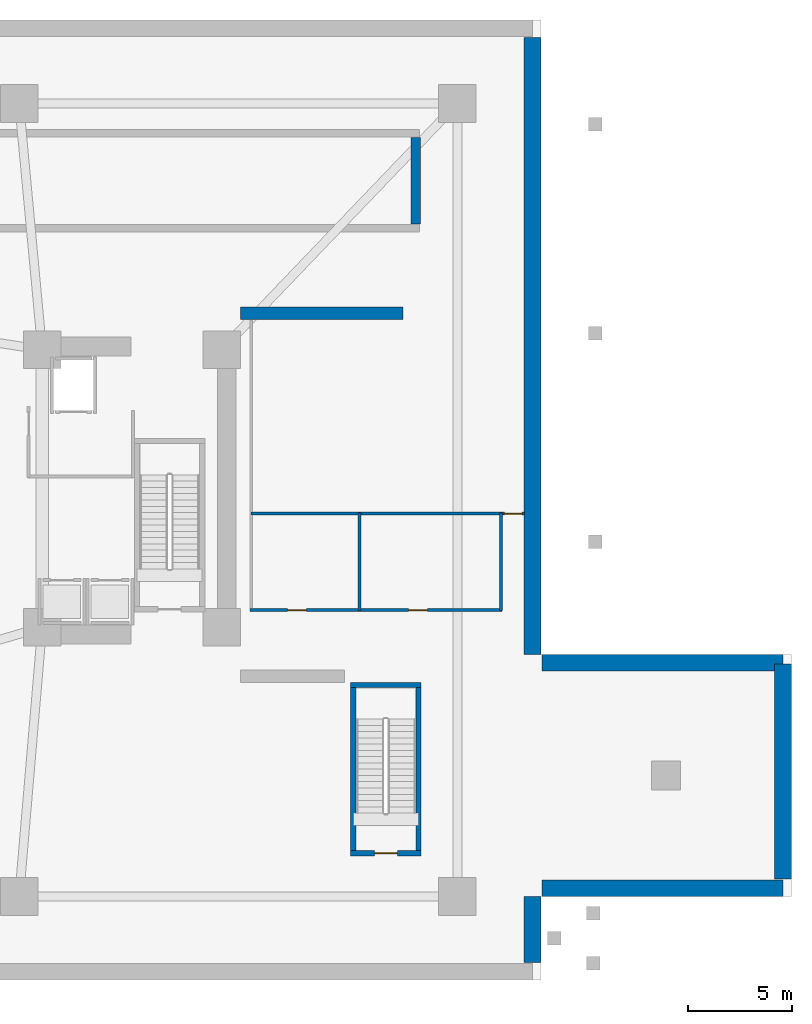
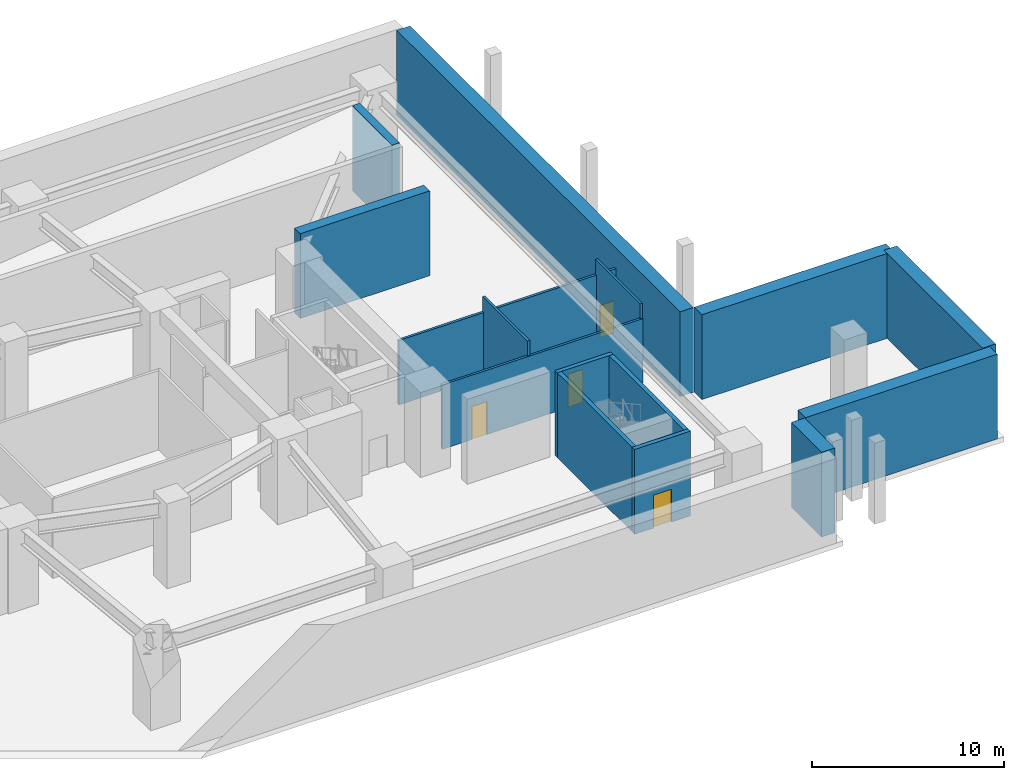
# One storey, part 5 of 9: 15 walls, 4 doors, 4 openings.
"""IFC4 building model written with IfcOpenShell, lengths in metres."""

from ifc_helpers import new_model, si_unit, direction, frame, frame_2d, origin, place, context, subcontext, project, spatial, rectangle, extrude, material, layer, layer_set, type_object, element, fill, save


model = new_model("IFC4")

# Units and contexts
model_context = context("Model", 3, precision=1e-05, world=origin(), true_north=direction((0.0, 1.0)))
body_context = subcontext(model_context, "Body", "Model", "MODEL_VIEW")
ifc_project = project(units=[si_unit("LENGTHUNIT", "METRE"), si_unit("AREAUNIT", "SQUARE_METRE"), si_unit("VOLUMEUNIT", "CUBIC_METRE"), si_unit("PLANEANGLEUNIT", "RADIAN"), si_unit("MASSUNIT", "GRAM", prefix="KILO")], contexts=[model_context])

# Site, building, storey
site_placement = place(None, origin())
site = spatial("IfcSite", under=ifc_project, at=site_placement, CompositionType="ELEMENT")
building_placement = place(site_placement, origin())
building = spatial("IfcBuilding", under=site, at=building_placement, Name="Solvane Sanctuary Tower", CompositionType="ELEMENT")
storey_placement = place(building_placement, frame((0.0, 0.0, -5.39990234375)))
storey = spatial("IfcBuildingStorey", under=building, at=storey_placement, Name="B01", CompositionType="ELEMENT", Elevation=-5.39990234375)

# Wall, opening, door
ifc_material_1 = material(Name="Acoustic Gypsum Partition Board")
ifc_layer_1 = layer(ifc_material_1, 0.14990234375, Name="Acoustic Gypsum Partition Board")
ifc_layer_set_1 = layer_set([ifc_layer_1], Name="Acoustic Gypsum Partition Board")
wall_type_1 = type_object("IfcWallType", Name="Wall W-CORR-150", PredefinedType="PARTITIONING", material=ifc_layer_set_1)
wall_1_placement = place(storey_placement, frame((50.1201171875, 22.35009765625, 0.0), z_axis=(0.0, 0.0, 1.0), x_axis=(1.0, 0.0, 0.0)))
wall_1 = element("IfcWall", 1, at=wall_1_placement, inside=storey, type_object=wall_type_1, Name="B01 Generator South Fire Wall", PredefinedType="PARTITIONING", context=body_context, shape_type="SweptSolid", body=[
    extrude(rectangle(XDim=13.099853515625, YDim=0.14990234375, at=frame_2d((6.5498046875, 0.0))), origin(), (0.0, 0.0, 1.0), 4.099853515625),
])
opening_1_placement = place(wall_1_placement, frame((12.1298828125, 0.0, 0.0)))
opening_1 = element("IfcOpeningElement", 2, at=opening_1_placement, cuts=wall_1, Name="Opening D-B01-12", PredefinedType="OPENING", context=body_context, shape_type="SweptSolid", body=[
    extrude(rectangle(XDim=0.85009765625, YDim=2.050048828125, at=frame_2d((0.425048828125, 1.02490234375))), frame((0.0, 0.0849609375, 0.0), z_axis=(0.0, -1.0, 0.0), x_axis=(1.0, 0.0, 0.0)), (0.0, 0.0, 1.0), 0.169921875),
])
ifc_material_2 = material(Name="Architectural Stainless Steel 316", Category="steel")
door_type_1 = type_object("IfcDoorType", Name="Door D-RISER", OperationType="NOTDEFINED", PredefinedType="DOOR", material=ifc_material_2)
door_1_placement = place(opening_1_placement, origin())
door_1 = element("IfcDoor", 3, at=door_1_placement, inside=storey, type_object=door_type_1, Name="B01 Standby Generator Plant Door", OperationType="SINGLE_SWING_RIGHT", OverallHeight=2.050048828125, OverallWidth=0.85009765625, PredefinedType="DOOR", context=body_context, shape_type="SweptSolid", body=[
    extrude(rectangle(XDim=0.85009765625, YDim=2.050048828125, at=frame_2d((0.425048828125, 1.02490234375))), frame((0.0, 0.02490234375, 0.0), z_axis=(0.0, -1.0, 0.0), x_axis=(1.0, 0.0, 0.0)), (0.0, 0.0, 1.0), 0.050048828125),
])
fill(opening_1, door_1)

# Walls
ifc_material_3 = material(Name="Concrete C60/75", Category="concrete")
ifc_layer_2 = layer(ifc_material_3, 0.60009765625, Name="Concrete C60/75")
ifc_layer_set_2 = layer_set([ifc_layer_2], Name="Concrete C60/75")
wall_type_2 = type_object("IfcWallType", Name="Wall W-METRO-600", PredefinedType="SOLIDWALL", material=ifc_layer_set_2)
wall_2_placement = place(storey_placement, frame((49.60009765625, 31.949951171875, 0.0), z_axis=(0.0, 0.0, 1.0), x_axis=(1.0, 0.0, 0.0)))
element("IfcWall", 4, at=wall_2_placement, inside=storey, type_object=wall_type_2, Name="B01 Metro Station Box Wall MN2", PredefinedType="SOLIDWALL", context=body_context, shape_type="SweptSolid", body=[
    extrude(rectangle(XDim=7.7998046875, YDim=0.60009765625, at=frame_2d((3.89990234375, 0.0))), origin(), (0.0, 0.0, 1.0), 5.39990234375),
])
ifc_material_4 = material(Name="Concrete C50/60", Category="concrete")
ifc_layer_3 = layer(ifc_material_4, 0.35009765625, Name="Concrete C50/60")
ifc_layer_set_3 = layer_set([ifc_layer_3], Name="Concrete C50/60")
wall_type_3 = type_object("IfcWallType", Name="Wall W-RAMP-350", PredefinedType="SOLIDWALL", material=ifc_layer_set_3)
wall_3_placement = place(storey_placement, frame((58.0, 36.219970703125, 0.0), z_axis=(0.0, 0.0, 1.0), x_axis=(0.0, 1.0, 0.0)))
element("IfcWall", 5, at=wall_3_placement, inside=storey, type_object=wall_type_3, Name="B01 Service Ramp Head Bearing Wall", PredefinedType="SOLIDWALL", context=body_context, shape_type="SweptSolid", body=[
    extrude(rectangle(XDim=4.159912109375, YDim=0.449951171875, at=frame_2d((2.080078125, 0.0))), origin(), (0.0, 0.0, 1.0), 5.39990234375),
])
ifc_layer_4 = layer(ifc_material_3, 0.800048828125, Name="Concrete C60/75")
ifc_layer_set_4 = layer_set([ifc_layer_4], Name="Concrete C60/75")
wall_type_4 = type_object("IfcWallType", Name="Wall W-RET-800", PredefinedType="USERDEFINED", material=ifc_layer_set_4)
wall_4_placement = place(storey_placement, frame((63.60009765625, 0.85009765625, 0.0), z_axis=(0.0, 0.0, 1.0), x_axis=(0.0, 1.0, 0.0)))
element("IfcWall", 6, at=wall_4_placement, inside=storey, type_object=wall_type_4, Name="B01 Perimeter Retaining Wall ES1", ObjectType="RETAININGWALL", PredefinedType="USERDEFINED", context=body_context, shape_type="SweptSolid", body=[
    extrude(rectangle(XDim=3.14990234375, YDim=0.800048828125, at=frame_2d((1.574951171875, 0.0))), origin(), (0.0, 0.0, 1.0), 5.39990234375),
])
wall_5_placement = place(storey_placement, frame((64.050048828125, 4.39990234375, 0.0), z_axis=(0.0, 0.0, 1.0), x_axis=(1.0, 0.0, 0.0)))
element("IfcWall", 7, at=wall_5_placement, inside=storey, type_object=wall_type_4, Name="B01 Perimeter Retaining Wall MES", ObjectType="RETAININGWALL", PredefinedType="USERDEFINED", context=body_context, shape_type="SweptSolid", body=[
    extrude(rectangle(XDim=11.550048828125, YDim=0.800048828125, at=frame_2d((5.77490234375, 0.0))), origin(), (0.0, 0.0, 1.0), 5.39990234375),
])
wall_6_placement = place(storey_placement, frame((75.60009765625, 4.85009765625, 0.0), z_axis=(0.0, 0.0, 1.0), x_axis=(0.0, 1.0, 0.0)))
element("IfcWall", 8, at=wall_6_placement, inside=storey, type_object=wall_type_4, Name="B01 Perimeter Retaining Wall MEE", ObjectType="RETAININGWALL", PredefinedType="USERDEFINED", context=body_context, shape_type="SweptSolid", body=[
    extrude(rectangle(XDim=10.2998046875, YDim=0.800048828125, at=frame_2d((5.14990234375, 0.0))), origin(), (0.0, 0.0, 1.0), 5.39990234375),
])
wall_7_placement = place(storey_placement, frame((75.60009765625, 15.199951171875, 0.0), z_axis=(0.0, 0.0, 1.0), x_axis=(-1.0, 0.0, 0.0)))
element("IfcWall", 9, at=wall_7_placement, inside=storey, type_object=wall_type_4, Name="B01 Perimeter Retaining Wall MEN", ObjectType="RETAININGWALL", PredefinedType="USERDEFINED", context=body_context, shape_type="SweptSolid", body=[
    extrude(rectangle(XDim=11.550048828125, YDim=0.800048828125, at=frame_2d((5.77490234375, 0.0))), origin(), (0.0, 0.0, 1.0), 5.39990234375),
])
wall_8_placement = place(storey_placement, frame((63.60009765625, 15.60009765625, 0.0), z_axis=(0.0, 0.0, 1.0), x_axis=(0.0, 1.0, 0.0)))
element("IfcWall", 10, at=wall_8_placement, inside=storey, type_object=wall_type_4, Name="B01 Perimeter Retaining Wall EN2", ObjectType="RETAININGWALL", PredefinedType="USERDEFINED", context=body_context, shape_type="SweptSolid", body=[
    extrude(rectangle(XDim=29.5498046875, YDim=0.800048828125, at=frame_2d((14.77490234375, 0.0))), origin(), (0.0, 0.0, 1.0), 5.39990234375),
])

# Wall, opening, door
ifc_layer_5 = layer(ifc_material_4, 0.25, Name="Concrete C50/60")
ifc_layer_set_5 = layer_set([ifc_layer_5], Name="Concrete C50/60")
wall_type_5 = type_object("IfcWallType", Name="Wall W-SHAFT-250", PredefinedType="SOLIDWALL", material=ifc_layer_set_5)
wall_9_placement = place(storey_placement, frame((54.885009765625, 6.070068359375, 0.0), z_axis=(0.0, 0.0, 1.0), x_axis=(1.0, 0.0, 0.0)))
wall_9 = element("IfcWall", 11, at=wall_9_placement, inside=storey, type_object=wall_type_5, Name="B01 ST-5 Load-Bearing Shaft Wall S", PredefinedType="SOLIDWALL", context=body_context, shape_type="SweptSolid", body=[
    extrude(rectangle(XDim=3.369873046875, YDim=0.25, at=frame_2d((1.68505859375, 0.0))), origin(), (0.0, 0.0, 1.0), 5.39990234375),
])
opening_2_placement = place(wall_9_placement, frame((1.135009765625, 0.0, 0.0)))
opening_2 = element("IfcOpeningElement", 12, at=opening_2_placement, cuts=wall_9, Name="Opening D-B01-05", PredefinedType="OPENING", context=body_context, shape_type="SweptSolid", body=[
    extrude(rectangle(XDim=1.10009765625, YDim=2.10009765625, at=frame_2d((0.550048828125, 1.050048828125))), frame((0.0, 0.135009765625, 0.0), z_axis=(0.0, -1.0, 0.0), x_axis=(1.0, 0.0, 0.0)), (0.0, 0.0, 1.0), 0.27001953125),
])
door_type_2 = type_object("IfcDoorType", Name="Door D-STAIR", OperationType="NOTDEFINED", PredefinedType="DOOR", material=ifc_material_2)
door_2_placement = place(opening_2_placement, origin())
door_2 = element("IfcDoor", 13, at=door_2_placement, inside=storey, type_object=door_type_2, Name="B01 ST-5 Exit Stair Fire Door", OperationType="SINGLE_SWING_RIGHT", OverallHeight=2.10009765625, OverallWidth=1.10009765625, PredefinedType="DOOR", context=body_context, shape_type="SweptSolid", body=[
    extrude(rectangle(XDim=1.10009765625, YDim=2.10009765625, at=frame_2d((0.550048828125, 1.050048828125))), frame((0.0, 0.02490234375, 0.0), z_axis=(0.0, -1.0, 0.0), x_axis=(1.0, 0.0, 0.0)), (0.0, 0.0, 1.0), 0.050048828125),
])
fill(opening_2, door_2)

# Walls
wall_10_placement = place(storey_placement, frame((54.885009765625, 14.1298828125, 0.0), z_axis=(0.0, 0.0, 1.0), x_axis=(1.0, 0.0, 0.0)))
element("IfcWall", 14, at=wall_10_placement, inside=storey, type_object=wall_type_5, Name="B01 ST-5 Load-Bearing Shaft Wall N", PredefinedType="SOLIDWALL", context=body_context, shape_type="SweptSolid", body=[
    extrude(rectangle(XDim=3.369873046875, YDim=0.25, at=frame_2d((1.68505859375, 0.0))), origin(), (0.0, 0.0, 1.0), 5.39990234375),
])
for number, where, z_axis, x_axis, name in (
    (15, (55.010009765625, 6.195068359375, 0.0), (0.0, 0.0, 1.0), (0.0, 1.0, 0.0), "B01 ST-5 Load-Bearing Shaft Wall W"),
    (16, (58.1298828125, 6.195068359375, 0.0), (0.0, 0.0, 1.0), (0.0, 1.0, 0.0), "B01 ST-5 Load-Bearing Shaft Wall E"),
):
    element("IfcWall", number, at=place(storey_placement, frame(where, z_axis=z_axis, x_axis=x_axis)), inside=storey, type_object=wall_type_5, Name=name, PredefinedType="SOLIDWALL", context=body_context, shape_type="SweptSolid", body=[
        extrude(rectangle(XDim=7.809814453125, YDim=0.25, at=frame_2d((3.90478515625, 0.0))), origin(), (0.0, 0.0, 1.0), 5.39990234375),
    ])

# Wall, openings, doors
ifc_layer_6 = layer(ifc_material_1, 0.139892578125, Name="Acoustic Gypsum Partition Board")
ifc_layer_set_6 = layer_set([ifc_layer_6], Name="Acoustic Gypsum Partition Board")
wall_type_6 = type_object("IfcWallType", Name="Wall W-WET-140", PredefinedType="PLUMBINGWALL", material=ifc_layer_set_6)
wall_11_placement = place(storey_placement, frame((50.06005859375, 17.719970703125, 0.0), z_axis=(0.0, 0.0, 1.0), x_axis=(1.0, 0.0, 0.0)))
wall_11 = element("IfcWall", 17, at=wall_11_placement, inside=storey, type_object=wall_type_6, Name="B01 Washroom South Wall", PredefinedType="PLUMBINGWALL", context=body_context, shape_type="SweptSolid", body=[
    extrude(rectangle(XDim=12.079833984375, YDim=0.139892578125, at=frame_2d((6.0400390625, 0.0))), origin(), (0.0, 0.0, 1.0), 4.099853515625),
])
opening_3_placement = place(wall_11_placement, frame((1.800048828125, 0.0, 0.0)))
opening_3 = element("IfcOpeningElement", 18, at=opening_3_placement, cuts=wall_11, Name="Opening D-B01-10", PredefinedType="OPENING", context=body_context, shape_type="SweptSolid", body=[
    extrude(rectangle(XDim=0.89990234375, YDim=2.10009765625, at=frame_2d((0.449951171875, 1.050048828125))), frame((0.0, 0.079833984375, 0.0), z_axis=(0.0, -1.0, 0.0), x_axis=(1.0, 0.0, 0.0)), (0.0, 0.0, 1.0), 0.159912109375),
])
opening_4_placement = place(wall_11_placement, frame((7.60009765625, 0.0, 0.0)))
opening_4 = element("IfcOpeningElement", 19, at=opening_4_placement, cuts=wall_11, Name="Opening D-B01-11", PredefinedType="OPENING", context=body_context, shape_type="SweptSolid", body=[
    extrude(rectangle(XDim=0.89990234375, YDim=2.10009765625, at=frame_2d((0.449951171875, 1.050048828125))), frame((0.0, 0.079833984375, 0.0), z_axis=(0.0, -1.0, 0.0), x_axis=(1.0, 0.0, 0.0)), (0.0, 0.0, 1.0), 0.159912109375),
])
ifc_material_5 = material(Name="Engineered Tropical Hardwood", Category="wood")
door_type_3 = type_object("IfcDoorType", Name="Door D-WET-900", OperationType="NOTDEFINED", PredefinedType="DOOR", material=ifc_material_5)
door_3_placement = place(opening_3_placement, origin())
door_3 = element("IfcDoor", 20, at=door_3_placement, inside=storey, type_object=door_type_3, Name="B01 Accessible WC Door", OperationType="SINGLE_SWING_RIGHT", OverallHeight=2.10009765625, OverallWidth=0.89990234375, PredefinedType="DOOR", context=body_context, shape_type="SweptSolid", body=[
    extrude(rectangle(XDim=0.89990234375, YDim=2.10009765625, at=frame_2d((0.449951171875, 1.050048828125))), frame((0.0, 0.02490234375, 0.0), z_axis=(0.0, -1.0, 0.0), x_axis=(1.0, 0.0, 0.0)), (0.0, 0.0, 1.0), 0.050048828125),
])
fill(opening_3, door_3)
door_4_placement = place(opening_4_placement, origin())
door_4 = element("IfcDoor", 21, at=door_4_placement, inside=storey, type_object=door_type_3, Name="B01 Public Washroom Door", OperationType="SINGLE_SWING_LEFT", OverallHeight=2.10009765625, OverallWidth=0.89990234375, PredefinedType="DOOR", context=body_context, shape_type="SweptSolid", body=[
    extrude(rectangle(XDim=0.89990234375, YDim=2.10009765625, at=frame_2d((0.449951171875, 1.050048828125))), frame((0.0, 0.02490234375, 0.0), z_axis=(0.0, -1.0, 0.0), x_axis=(1.0, 0.0, 0.0)), (0.0, 0.0, 1.0), 0.050048828125),
])
fill(opening_4, door_4)

# Walls
for number, where, z_axis, x_axis, name in (
    (22, (62.080078125, 17.699951171875, 0.0), (0.0, 0.0, 1.0), (0.0, 1.0, 0.0), "B01 Public Washroom East Wall"),
    (23, (55.300048828125, 17.699951171875, 0.0), (0.0, 0.0, 1.0), (0.0, 1.0, 0.0), "B01 Washroom Dividing Wall"),
):
    element("IfcWall", number, at=place(storey_placement, frame(where, z_axis=z_axis, x_axis=x_axis)), inside=storey, type_object=wall_type_6, Name=name, PredefinedType="PLUMBINGWALL", context=body_context, shape_type="SweptSolid", body=[
        extrude(rectangle(XDim=4.679931640625, YDim=0.139892578125, at=frame_2d((2.33984375, 0.0))), origin(), (0.0, 0.0, 1.0), 5.054931640625),
    ])

save(model, "model.ifc")
